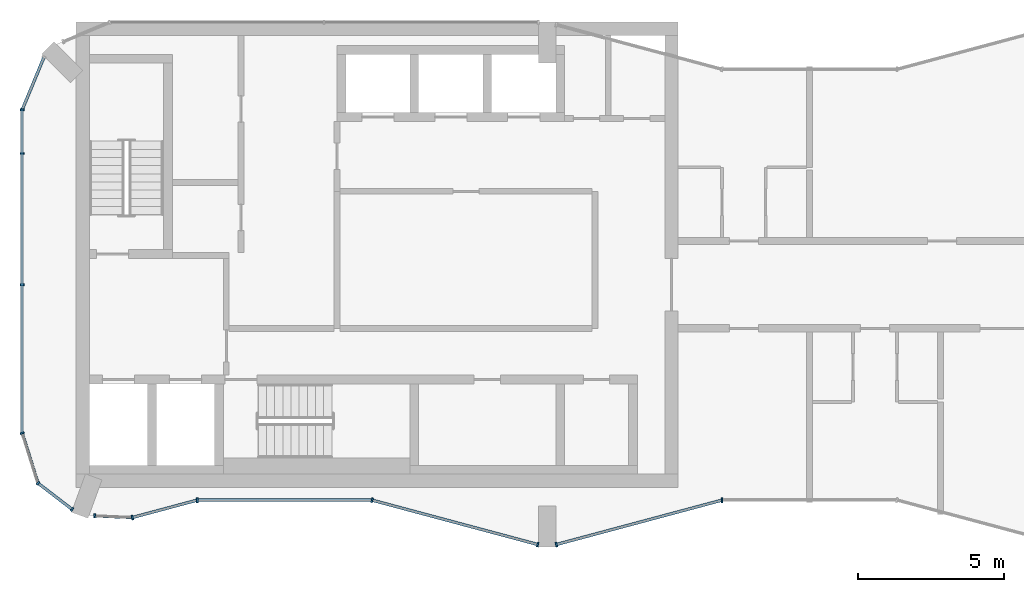
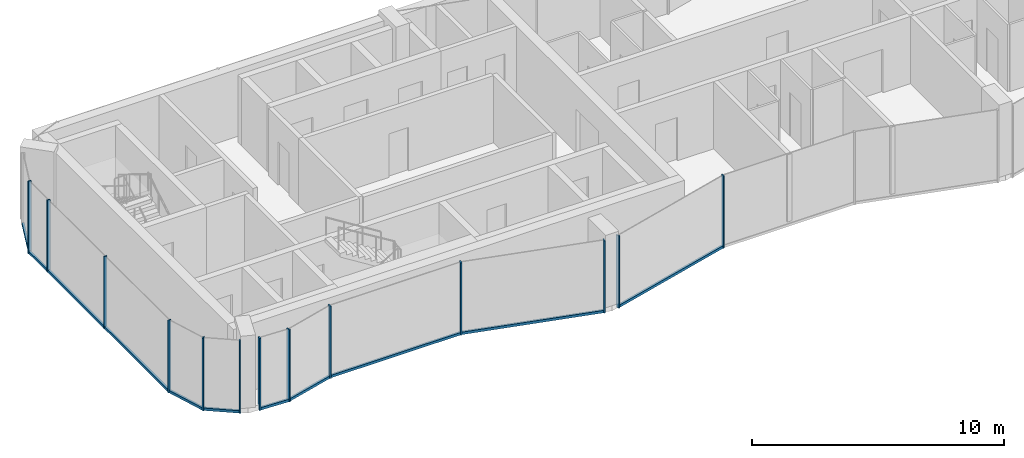
# One storey, part 2 of 10: 22 members, 10 elements without a shape of their own.
"""IFC4 building model written with IfcOpenShell, lengths in metres."""

import ifcopenshell
import ifcopenshell.guid

model = None  # the IFC model being written
_history = None  # IfcOwnerHistory: only IFC2X3 demands one
_inside = {}  # id of a spatial element -> (the spatial element, [elements in it])
_under = {}  # id of a project, library or spatial element -> (it, [spatial elements below it])
_declared = {}  # id of a project -> (the project, [libraries it declares])
_typed = {}  # id of a type object -> (the type object, [elements of that type])
_made_of = {}  # id of a material, layer set ... -> (it, [elements and type objects made of it])


def new_model(schema):
    """Start an empty IFC model of exactly this schema.

    Asked for "IFC4X3", IfcOpenShell would pick the latest addendum, in which some entities
    have other attributes; the version numbers below select the first issue.
    IFC2X3 requires an IfcOwnerHistory on every rooted entity: one is made here for all.
    """
    global model, _history
    if schema == "IFC4X3":
        model = ifcopenshell.file(schema_version=(4, 3, 0, 0))
    else:
        model = ifcopenshell.file(schema=schema)
    _inside.clear()
    _under.clear()
    _declared.clear()
    _typed.clear()
    _made_of.clear()
    _history = None
    if model.schema == "IFC2X3":
        org = make("IfcOrganization", Name="unknown")
        user = make(
            "IfcPersonAndOrganization",
            ThePerson=make("IfcPerson", FamilyName="unknown"),
            TheOrganization=org,
        )
        app = make(
            "IfcApplication",
            ApplicationDeveloper=org,
            Version="unknown",
            ApplicationFullName="unknown",
            ApplicationIdentifier="unknown",
        )
        _history = make(
            "IfcOwnerHistory",
            OwningUser=user,
            OwningApplication=app,
            ChangeAction="ADDED",
            CreationDate=0,
        )
    return model


def make(cls, **values):
    """One entity of the class cls with the attributes given. An attribute that is None is left unset."""
    return model.create_entity(
        cls, **{name: value for name, value in values.items() if value is not None}
    )


def rooted(cls, **values):
    """An entity with a GlobalId (a new one), such as an element, a storey or a relation."""
    return make(cls, GlobalId=ifcopenshell.guid.new(), OwnerHistory=_history, **values)


def si_unit(unit_type, name, prefix=None):
    """IfcSIUnit, for example si_unit("LENGTHUNIT", "METRE", prefix="MILLI")."""
    return make("IfcSIUnit", UnitType=unit_type, Prefix=prefix, Name=name)


def assignment(units):
    """IfcUnitAssignment: the units of a project."""
    return None if units is None else make("IfcUnitAssignment", Units=units)


def point(xyz):
    """IfcCartesianPoint."""
    return None if xyz is None else make("IfcCartesianPoint", Coordinates=xyz)


def direction(xyz):
    """IfcDirection."""
    return None if xyz is None else make("IfcDirection", DirectionRatios=xyz)


def frame(location, z_axis=None, x_axis=None):
    """IfcAxis2Placement3D, a coordinate frame: its origin and axes. An axis left out is left unset."""
    return make(
        "IfcAxis2Placement3D",
        Location=point(location),
        Axis=direction(z_axis),
        RefDirection=direction(x_axis),
    )


def frame_2d(location, x_axis=None):
    """IfcAxis2Placement2D, a coordinate frame in the plane: its origin and x axis."""
    return make(
        "IfcAxis2Placement2D", Location=point(location), RefDirection=direction(x_axis)
    )


def origin():
    """The frame at (0, 0, 0) with its axes left unset."""
    return frame((0.0, 0.0, 0.0))


def origin_2d():
    """The frame at (0, 0) in the plane with its x axis left unset."""
    return frame_2d((0.0, 0.0))


def place(relative_to, where):
    """IfcLocalPlacement: puts the frame where relative to a parent placement (None: the world)."""
    return make(
        "IfcLocalPlacement", PlacementRelTo=relative_to, RelativePlacement=where
    )


def context(
    kind, dimensions, precision=None, world=None, true_north=None, identifier=None
):
    """IfcGeometricRepresentationContext, for example the 3D "Model" context."""
    return make(
        "IfcGeometricRepresentationContext",
        ContextIdentifier=identifier,
        ContextType=kind,
        CoordinateSpaceDimension=dimensions,
        Precision=precision,
        WorldCoordinateSystem=world,
        TrueNorth=true_north,
    )


def subcontext(parent, identifier, kind, view, scale=None):
    """IfcGeometricRepresentationSubContext, for example "Body" below "Model"."""
    return make(
        "IfcGeometricRepresentationSubContext",
        ContextIdentifier=identifier,
        ContextType=kind,
        ParentContext=parent,
        TargetScale=scale,
        TargetView=view,
    )


def project(units=None, contexts=None):
    """IfcProject with its units and contexts."""
    return rooted(
        "IfcProject",
        Name="project",
        RepresentationContexts=contexts,
        UnitsInContext=assignment(units),
    )


def spatial(cls, under=None, at=None, **own):
    """A site, building, storey or space (cls), placed at a placement, below another one or the project."""
    s = rooted(cls, ObjectPlacement=at, **own)
    if under is not None:
        _under.setdefault(under.id(), (under, []))[1].append(s)
    return s


def profile(cls, at=None, kind="AREA", **sizes):
    """A parametric profile (cls). Its sizes go by their IFC names, for example OverallWidth=200.0."""
    return make(cls, ProfileType=kind, Position=at, **sizes)


def rectangle(**sizes):
    """IfcRectangleProfileDef."""
    return profile("IfcRectangleProfileDef", **sizes)


def extrude(swept, where, along, depth):
    """IfcExtrudedAreaSolid: the profile swept, set in the frame where, extruded along a direction by depth."""
    return make(
        "IfcExtrudedAreaSolid",
        SweptArea=swept,
        Position=where,
        ExtrudedDirection=direction(along),
        Depth=depth,
    )


def shape(context_of_items, identifier, shape_type, items):
    """IfcShapeRepresentation: the items that make up one representation, for example the "Body"."""
    return make(
        "IfcShapeRepresentation",
        ContextOfItems=context_of_items,
        RepresentationIdentifier=identifier,
        RepresentationType=shape_type,
        Items=items,
    )


def material(Name=None, Category=None):
    """IfcMaterial."""
    return make("IfcMaterial", Name=Name, Category=Category)


def layer(
    of_material, thickness, ventilated=None, Name=None, Category=None, Priority=None
):
    """IfcMaterialLayer: one layer of a wall or slab, of a material (None: an air gap)."""
    return make(
        "IfcMaterialLayer",
        Material=of_material,
        LayerThickness=thickness,
        IsVentilated=ventilated,
        Name=Name,
        Category=Category,
        Priority=Priority,
    )


def layer_set(layers, Name=None):
    """IfcMaterialLayerSet."""
    return make("IfcMaterialLayerSet", MaterialLayers=layers, LayerSetName=Name)


def material_profile(
    of_material, cross_section, Name=None, Category=None, Priority=None
):
    """IfcMaterialProfile: a cross section and its material."""
    return make(
        "IfcMaterialProfile",
        Name=Name,
        Material=of_material,
        Profile=cross_section,
        Priority=Priority,
        Category=Category,
    )


def profile_set(profiles, Name=None, composite=None):
    """IfcMaterialProfileSet."""
    return make(
        "IfcMaterialProfileSet",
        Name=Name,
        MaterialProfiles=profiles,
        CompositeProfile=composite,
    )


def made_of(thing, what):
    """Note that an element or type object is made of a material, layer set ...; save() writes the relation."""
    if what is not None:
        _made_of.setdefault(what.id(), (what, []))[1].append(thing)
    return thing


def type_object(cls, material=None, **own):
    """A type object (cls), such as IfcWallType, which elements share."""
    return made_of(rooted(cls, **own), material)


def element(
    cls,
    number,
    at=None,
    inside=None,
    cuts=None,
    type_object=None,
    material=None,
    context=None,
    identifier="Body",
    shape_type=None,
    held_by="IfcProductDefinitionShape",
    body=None,
    shapes=None,
    **own,
):
    """One element of the class cls, such as IfcWall. Its Tag is "e" and its number.

    at: its placement. inside: the storey or other place that contains it. cuts: it is an
    opening in that element (IfcRelVoidsElement). A single representation is given by context,
    identifier, shape_type and body (its items); several are given by shapes. held_by: the class
    of the entity that holds the representations. save() writes the other relations.
    """
    e = rooted(cls, Tag="e%d" % number, ObjectPlacement=at, **own)
    if body is not None:
        shapes = [shape(context, identifier, shape_type, body)]
    if shapes is not None:
        e.Representation = make(held_by, Representations=shapes)
    if inside is not None:
        _inside.setdefault(inside.id(), (inside, []))[1].append(e)
    if cuts is not None:
        rooted(
            "IfcRelVoidsElement", RelatingBuildingElement=cuts, RelatedOpeningElement=e
        )
    if type_object is not None:
        _typed.setdefault(type_object.id(), (type_object, []))[1].append(e)
    return made_of(e, material)


def aggregate(whole, parts):
    """IfcRelAggregates: a whole, such as a stair, and the parts it consists of."""
    return rooted("IfcRelAggregates", RelatingObject=whole, RelatedObjects=parts)


def save(model, path):
    """Write the relations noted so far, then the file.

    IfcRelAggregates (storeys below a building ...), IfcRelContainedInSpatialStructure (elements
    in a storey), IfcRelDefinesByType, IfcRelAssociatesMaterial and IfcRelDeclares: one each for
    every whole, place, type object, material and project.
    """
    for whole, parts in _under.values():
        aggregate(whole, parts)
    for where, things in _inside.values():
        rooted(
            "IfcRelContainedInSpatialStructure",
            RelatedElements=things,
            RelatingStructure=where,
        )
    for kind, things in _typed.values():
        rooted("IfcRelDefinesByType", RelatedObjects=things, RelatingType=kind)
    for what, things in _made_of.values():
        rooted("IfcRelAssociatesMaterial", RelatedObjects=things, RelatingMaterial=what)
    for by, libraries in _declared.values():
        rooted("IfcRelDeclares", RelatingContext=by, RelatedDefinitions=libraries)
    model.write(path)


model = new_model("IFC4")

# Units and contexts
model_context = context("Model", 3, precision=1e-05, world=origin(), true_north=direction((0.0, 1.0)))
body_context = subcontext(model_context, "Body", "Model", "MODEL_VIEW")
ifc_project = project(units=[si_unit("LENGTHUNIT", "METRE"), si_unit("AREAUNIT", "SQUARE_METRE"), si_unit("VOLUMEUNIT", "CUBIC_METRE"), si_unit("PLANEANGLEUNIT", "RADIAN"), si_unit("MASSUNIT", "GRAM", prefix="KILO")], contexts=[model_context])

# Site, building, storey
site_placement = place(None, origin())
site = spatial("IfcSite", under=ifc_project, at=site_placement, CompositionType="ELEMENT")
building_placement = place(site_placement, origin())
building = spatial("IfcBuilding", under=site, at=building_placement, Name="Plateau Cross Towers", CompositionType="ELEMENT")
storey_placement = place(building_placement, frame((0.0, 0.0, 270.39990234375)))
storey = spatial("IfcBuildingStorey", under=building, at=storey_placement, Name="L71", CompositionType="ELEMENT", Elevation=270.39990234375)

# Curtain wall, members
ifc_material_1 = material(Name="Dark low-iron glass", Category="glass")
ifc_layer_1 = layer(ifc_material_1, 0.239990234375)
ifc_layer_set_1 = layer_set([ifc_layer_1], Name="Dark low-iron glass")
curtain_wall_type_1 = type_object("IfcCurtainWallType", Name="Curtain wall flush unitised CW-B", PredefinedType="NOTDEFINED", material=ifc_layer_set_1)
curtain_wall_1_placement = place(storey_placement, origin())
curtain_wall_1 = element("IfcCurtainWall", 1, at=curtain_wall_1_placement, inside=storey, type_object=curtain_wall_type_1, Name="ENV/A/L71/A0_150", PredefinedType="NOTDEFINED")
ifc_material_2 = material(Name="Black anodised aluminium", Category="aluminium")
ifc_material_profile_1 = material_profile(ifc_material_2, rectangle(XDim=0.06005859375, YDim=0.139892578125, at=origin_2d()), Name="MULLION 60x140")
ifc_profile_set_1 = profile_set([ifc_material_profile_1], Name="Black anodised aluminium")
member_type_1 = type_object("IfcMemberType", Name="Mullion 60x140 flush unitised", PredefinedType="MULLION", material=ifc_profile_set_1)
member_1_placement = place(storey_placement, frame((0.0, 15.0, -0.25), z_axis=(0.0, 0.0, 1.0), x_axis=(0.0, -1.0, 0.0)))
member_1 = element("IfcMember", 2, at=member_1_placement, type_object=member_type_1, Name="CW-B mullion 1", PredefinedType="MULLION", context=body_context, shape_type="SweptSolid", body=[
    extrude(rectangle(XDim=0.06005859375, YDim=0.139892578125, at=origin_2d()), origin(), (0.0, 0.0, 1.0), 3.5),
])
member_2_placement = place(storey_placement, frame((0.0, 13.5, -0.25), z_axis=(0.0, 0.0, 1.0), x_axis=(0.0, -1.0, 0.0)))
member_2 = element("IfcMember", 3, at=member_2_placement, type_object=member_type_1, Name="CW-B mullion 2", PredefinedType="MULLION", context=body_context, shape_type="SweptSolid", body=[
    extrude(rectangle(XDim=0.06005859375, YDim=0.139892578125, at=origin_2d()), origin(), (0.0, 0.0, 1.0), 3.5),
])
member_3_placement = place(storey_placement, frame((0.0, 9.0, -0.25), z_axis=(0.0, 0.0, 1.0), x_axis=(0.0, -1.0, 0.0)))
member_3 = element("IfcMember", 4, at=member_3_placement, type_object=member_type_1, Name="CW-B mullion 3", PredefinedType="MULLION", context=body_context, shape_type="SweptSolid", body=[
    extrude(rectangle(XDim=0.06005859375, YDim=0.139892578125, at=origin_2d()), origin(), (0.0, 0.0, 1.0), 3.5),
])

# Curtain wall, member
curtain_wall_2_placement = place(storey_placement, origin())
curtain_wall_2 = element("IfcCurtainWall", 5, at=curtain_wall_2_placement, inside=storey, type_object=curtain_wall_type_1, Name="ENV/A/L71/A0_39", PredefinedType="NOTDEFINED")
member_4_placement = place(storey_placement, frame((0.0, 3.9091796875, -0.25), z_axis=(0.0, 0.0, 1.0), x_axis=(0.300686174994, -0.95372313811, 0.0)))
member_4 = element("IfcMember", 6, at=member_4_placement, type_object=member_type_1, Name="CW-B mullion 1", PredefinedType="MULLION", context=body_context, shape_type="SweptSolid", body=[
    extrude(rectangle(XDim=0.06005859375, YDim=0.139892578125, at=origin_2d()), origin(), (0.0, 0.0, 1.0), 3.5),
])

# Curtain wall, members
curtain_wall_3_placement = place(storey_placement, origin())
curtain_wall_3 = element("IfcCurtainWall", 7, at=curtain_wall_3_placement, inside=storey, type_object=curtain_wall_type_1, Name="ENV/A/L71/A5_22", PredefinedType="NOTDEFINED")
member_5_placement = place(storey_placement, frame((0.54248046875, 2.1884765625, -0.25), z_axis=(0.0, 0.0, 1.0), x_axis=(0.793315514529, -0.608810721331, 0.0)))
member_5 = element("IfcMember", 8, at=member_5_placement, type_object=member_type_1, Name="CW-B mullion 1", PredefinedType="MULLION", context=body_context, shape_type="SweptSolid", body=[
    extrude(rectangle(XDim=0.06005859375, YDim=0.139892578125, at=origin_2d()), origin(), (0.0, 0.0, 1.0), 3.5),
])
member_6_placement = place(storey_placement, frame((1.709716796875, 1.292724609375, -0.25), z_axis=(0.0, 0.0, 1.0), x_axis=(0.793315514529, -0.608810721331, 0.0)))
member_6 = element("IfcMember", 9, at=member_6_placement, type_object=member_type_1, Name="CW-B mullion 2", PredefinedType="MULLION", context=body_context, shape_type="SweptSolid", body=[
    extrude(rectangle(XDim=0.06005859375, YDim=0.139892578125, at=origin_2d()), origin(), (0.0, 0.0, 1.0), 3.5),
])

# Curtain wall, member
curtain_wall_4_placement = place(storey_placement, origin())
curtain_wall_4 = element("IfcCurtainWall", 10, at=curtain_wall_4_placement, inside=storey, type_object=curtain_wall_type_1, Name="ENV/A/L71/A25_11", PredefinedType="NOTDEFINED")
member_7_placement = place(storey_placement, frame((2.483642578125, 1.06787109375, -0.25), z_axis=(0.0, 0.0, 1.0), x_axis=(0.999043701491, -0.043722791671, 0.0)))
member_7 = element("IfcMember", 11, at=member_7_placement, type_object=member_type_1, Name="CW-B mullion 1", PredefinedType="MULLION", context=body_context, shape_type="SweptSolid", body=[
    extrude(rectangle(XDim=0.06005859375, YDim=0.139892578125, at=origin_2d()), origin(), (0.0, 0.0, 1.0), 3.5),
])

ifc_layer_2 = layer(ifc_material_1, 0.260009765625)
ifc_layer_set_2 = layer_set([ifc_layer_2], Name="Dark low-iron glass")
curtain_wall_type_2 = type_object("IfcCurtainWallType", Name="Curtain wall fluted unitised CW-A", PredefinedType="NOTDEFINED", material=ifc_layer_set_2)
curtain_wall_5_placement = place(storey_placement, origin())
curtain_wall_5 = element("IfcCurtainWall", 12, at=curtain_wall_5_placement, inside=storey, type_object=curtain_wall_type_2, Name="ENV/A/L71/A38_10", PredefinedType="NOTDEFINED")
ifc_material_profile_2 = material_profile(ifc_material_2, rectangle(XDim=0.06005859375, YDim=0.159912109375, at=origin_2d()), Name="MULLION 60x160")
ifc_profile_set_2 = profile_set([ifc_material_profile_2], Name="Black anodised aluminium")
member_type_2 = type_object("IfcMemberType", Name="Mullion 60x160 fluted unitised", PredefinedType="MULLION", material=ifc_profile_set_2)
member_8_placement = place(storey_placement, frame((3.776123046875, 1.01123046875, -0.25), z_axis=(0.0, 0.0, 1.0), x_axis=(0.965957962328, 0.258699081978, 0.0)))
member_8 = element("IfcMember", 13, at=member_8_placement, type_object=member_type_2, Name="CW-A mullion 1", PredefinedType="MULLION", context=body_context, shape_type="SweptSolid", body=[
    extrude(rectangle(XDim=0.06005859375, YDim=0.159912109375, at=origin_2d()), origin(), (0.0, 0.0, 1.0), 3.5),
])

curtain_wall_6_placement = place(storey_placement, origin())
curtain_wall_6 = element("IfcCurtainWall", 14, at=curtain_wall_6_placement, inside=storey, type_object=curtain_wall_type_2, Name="ENV/A/L71/A60_16", PredefinedType="NOTDEFINED")
member_9_placement = place(storey_placement, frame((6.0, 1.60693359375, -0.25), z_axis=(0.0, 0.0, 1.0), x_axis=(1.0, 0.0, 0.0)))
member_9 = element("IfcMember", 15, at=member_9_placement, type_object=member_type_2, Name="CW-A mullion 1", PredefinedType="MULLION", context=body_context, shape_type="SweptSolid", body=[
    extrude(rectangle(XDim=0.06005859375, YDim=0.159912109375, at=origin_2d()), origin(), (0.0, 0.0, 1.0), 3.5),
])

# Curtain wall, members
curtain_wall_7_placement = place(storey_placement, origin())
curtain_wall_7 = element("IfcCurtainWall", 16, at=curtain_wall_7_placement, inside=storey, type_object=curtain_wall_type_2, Name="ENV/A/L71/A120_16", PredefinedType="NOTDEFINED")
member_10_placement = place(storey_placement, frame((12.0, 1.60693359375, -0.25), z_axis=(0.0, 0.0, 1.0), x_axis=(0.965957983404, -0.258699003279, 0.0)))
member_10 = element("IfcMember", 17, at=member_10_placement, type_object=member_type_2, Name="CW-A mullion 1", PredefinedType="MULLION", context=body_context, shape_type="SweptSolid", body=[
    extrude(rectangle(XDim=0.06005859375, YDim=0.159912109375, at=origin_2d()), origin(), (0.0, 0.0, 1.0), 3.5),
])
member_11_placement = place(storey_placement, frame((17.68212890625, 0.085205078125, -0.25), z_axis=(0.0, 0.0, 1.0), x_axis=(0.965957983404, -0.258699003279, 0.0)))
member_11 = element("IfcMember", 18, at=member_11_placement, type_object=member_type_2, Name="CW-A mullion 2", PredefinedType="MULLION", context=body_context, shape_type="SweptSolid", body=[
    extrude(rectangle(XDim=0.06005859375, YDim=0.159912109375, at=origin_2d()), origin(), (0.0, 0.0, 1.0), 3.5),
])

# Curtain wall, member
curtain_wall_8_placement = place(storey_placement, origin())
curtain_wall_8 = element("IfcCurtainWall", 19, at=curtain_wall_8_placement, inside=storey, type_object=curtain_wall_type_2, Name="ENV/A/L71/A183_1", PredefinedType="NOTDEFINED")
member_12_placement = place(storey_placement, frame((18.31787109375, 0.085205078125, -0.25), z_axis=(0.0, 0.0, 1.0), x_axis=(0.965957983404, 0.258699003279, 0.0)))
member_12 = element("IfcMember", 20, at=member_12_placement, type_object=member_type_2, Name="CW-A mullion 1", PredefinedType="MULLION", context=body_context, shape_type="SweptSolid", body=[
    extrude(rectangle(XDim=0.06005859375, YDim=0.159912109375, at=origin_2d()), origin(), (0.0, 0.0, 1.0), 3.5),
])

curtain_wall_9_placement = place(storey_placement, origin())
curtain_wall_9 = element("IfcCurtainWall", 21, at=curtain_wall_9_placement, inside=storey, type_object=curtain_wall_type_2, Name="ENV/A/L71/A240_16", PredefinedType="NOTDEFINED")
member_13_placement = place(storey_placement, frame((24.0, 1.60693359375, -0.25), z_axis=(0.0, 0.0, 1.0), x_axis=(1.0, 0.0, 0.0)))
member_13 = element("IfcMember", 22, at=member_13_placement, type_object=member_type_2, Name="CW-A mullion 1", PredefinedType="MULLION", context=body_context, shape_type="SweptSolid", body=[
    extrude(rectangle(XDim=0.06005859375, YDim=0.159912109375, at=origin_2d()), origin(), (0.0, 0.0, 1.0), 3.5),
])
aggregate(curtain_wall_9, [member_13])

curtain_wall_10_placement = place(storey_placement, origin())
curtain_wall_10 = element("IfcCurtainWall", 23, at=curtain_wall_10_placement, inside=storey, type_object=curtain_wall_type_1, Name="ENV/A/L71/A7_168", PredefinedType="NOTDEFINED")
ifc_material_profile_3 = material_profile(ifc_material_2, rectangle(XDim=0.10009765625, YDim=0.1201171875, at=origin_2d()), Name="TRANSOM 100x120")
ifc_profile_set_3 = profile_set([ifc_material_profile_3], Name="Black anodised aluminium")
member_type_3 = type_object("IfcMemberType", Name="Transom 100x120 flush unitised", PredefinedType="USERDEFINED", material=ifc_profile_set_3)
member_14_placement = place(storey_placement, frame((0.748046875, 16.805908203125, -0.18994140625), z_axis=(-0.382690071798, -0.92387678234, 0.0), x_axis=(0.92387678234, -0.382690071798, 0.0)))
member_14 = element("IfcMember", 24, at=member_14_placement, type_object=member_type_3, Name="CW-B transom", ObjectType="TRANSOM", PredefinedType="USERDEFINED", context=body_context, shape_type="SweptSolid", body=[
    extrude(rectangle(XDim=0.10009765625, YDim=0.1201171875, at=origin_2d()), origin(), (0.0, 0.0, 1.0), 1.95458984375),
])
aggregate(curtain_wall_10, [member_14])

# Member
member_15_placement = place(storey_placement, frame((0.0, 15.0, -0.18994140625), z_axis=(0.0, -1.0, 0.0), x_axis=(1.0, 0.0, 0.0)))
member_15 = element("IfcMember", 25, at=member_15_placement, type_object=member_type_3, Name="CW-B transom", ObjectType="TRANSOM", PredefinedType="USERDEFINED", context=body_context, shape_type="SweptSolid", body=[
    extrude(rectangle(XDim=0.10009765625, YDim=0.1201171875, at=origin_2d()), origin(), (0.0, 0.0, 1.0), 11.0908203125),
])

aggregate(curtain_wall_1, [member_1, member_2, member_3, member_15])

member_16_placement = place(storey_placement, frame((0.0, 3.9091796875, -0.18994140625), z_axis=(0.30067799945, -0.953725715626, 0.0), x_axis=(0.953725715626, 0.30067799945, 0.0)))
member_16 = element("IfcMember", 26, at=member_16_placement, type_object=member_type_3, Name="CW-B transom", ObjectType="TRANSOM", PredefinedType="USERDEFINED", context=body_context, shape_type="SweptSolid", body=[
    extrude(rectangle(XDim=0.10009765625, YDim=0.1201171875, at=origin_2d()), origin(), (0.0, 0.0, 1.0), 1.80419921875),
])

aggregate(curtain_wall_2, [member_4, member_16])

member_17_placement = place(storey_placement, frame((0.54248046875, 2.1884765625, -0.18994140625), z_axis=(0.793320508571, -0.608804213751, 0.0), x_axis=(0.608804213751, 0.793320508571, 0.0)))
member_17 = element("IfcMember", 27, at=member_17_placement, type_object=member_type_3, Name="CW-B transom", ObjectType="TRANSOM", PredefinedType="USERDEFINED", context=body_context, shape_type="SweptSolid", body=[
    extrude(rectangle(XDim=0.10009765625, YDim=0.1201171875, at=origin_2d()), origin(), (0.0, 0.0, 1.0), 1.471435546875),
])

aggregate(curtain_wall_3, [member_5, member_6, member_17])

member_18_placement = place(storey_placement, frame((2.483642578125, 1.06787109375, -0.18994140625), z_axis=(0.999041144614, -0.043781175963, 0.0), x_axis=(0.043781175963, 0.999041144614, 0.0)))
member_18 = element("IfcMember", 28, at=member_18_placement, type_object=member_type_3, Name="CW-B transom", ObjectType="TRANSOM", PredefinedType="USERDEFINED", context=body_context, shape_type="SweptSolid", body=[
    extrude(rectangle(XDim=0.10009765625, YDim=0.1201171875, at=origin_2d()), origin(), (0.0, 0.0, 1.0), 1.293701171875),
])

aggregate(curtain_wall_4, [member_7, member_18])

ifc_material_profile_4 = material_profile(ifc_material_2, rectangle(XDim=0.10009765625, YDim=0.1201171875, at=origin_2d()), Name="TRANSOM 100x120")
ifc_profile_set_4 = profile_set([ifc_material_profile_4], Name="Black anodised aluminium")
member_type_4 = type_object("IfcMemberType", Name="Transom 100x120 fluted unitised", PredefinedType="USERDEFINED", material=ifc_profile_set_4)
member_19_placement = place(storey_placement, frame((3.776123046875, 1.01123046875, -0.18994140625), z_axis=(0.965945685136, 0.258744919501, 0.0), x_axis=(-0.258744919501, 0.965945685136, 0.0)))
member_19 = element("IfcMember", 29, at=member_19_placement, type_object=member_type_4, Name="CW-A transom", ObjectType="TRANSOM", PredefinedType="USERDEFINED", context=body_context, shape_type="SweptSolid", body=[
    extrude(rectangle(XDim=0.10009765625, YDim=0.1201171875, at=origin_2d()), origin(), (0.0, 0.0, 1.0), 2.30224609375),
])

aggregate(curtain_wall_5, [member_8, member_19])

member_20_placement = place(storey_placement, frame((6.0, 1.60693359375, -0.18994140625), z_axis=(1.0, 0.0, 0.0), x_axis=(0.0, 1.0, 0.0)))
member_20 = element("IfcMember", 30, at=member_20_placement, type_object=member_type_4, Name="CW-A transom", ObjectType="TRANSOM", PredefinedType="USERDEFINED", context=body_context, shape_type="SweptSolid", body=[
    extrude(rectangle(XDim=0.10009765625, YDim=0.1201171875, at=origin_2d()), origin(), (0.0, 0.0, 1.0), 6.0),
])

aggregate(curtain_wall_6, [member_9, member_20])

member_21_placement = place(storey_placement, frame((12.0, 1.60693359375, -0.18994140625), z_axis=(0.965959534794, -0.258693210465, 0.0), x_axis=(0.258693210465, 0.965959534794, 0.0)))
member_21 = element("IfcMember", 31, at=member_21_placement, type_object=member_type_4, Name="CW-A transom", ObjectType="TRANSOM", PredefinedType="USERDEFINED", context=body_context, shape_type="SweptSolid", body=[
    extrude(rectangle(XDim=0.10009765625, YDim=0.1201171875, at=origin_2d()), origin(), (0.0, 0.0, 1.0), 5.88232421875),
])

aggregate(curtain_wall_7, [member_10, member_11, member_21])

member_22_placement = place(storey_placement, frame((18.31787109375, 0.085205078125, -0.18994140625), z_axis=(0.965959534794, 0.258693210465, 0.0), x_axis=(-0.258693210465, 0.965959534794, 0.0)))
member_22 = element("IfcMember", 32, at=member_22_placement, type_object=member_type_4, Name="CW-A transom", ObjectType="TRANSOM", PredefinedType="USERDEFINED", context=body_context, shape_type="SweptSolid", body=[
    extrude(rectangle(XDim=0.10009765625, YDim=0.1201171875, at=origin_2d()), origin(), (0.0, 0.0, 1.0), 5.88232421875),
])

aggregate(curtain_wall_8, [member_12, member_22])

save(model, "model.ifc")
